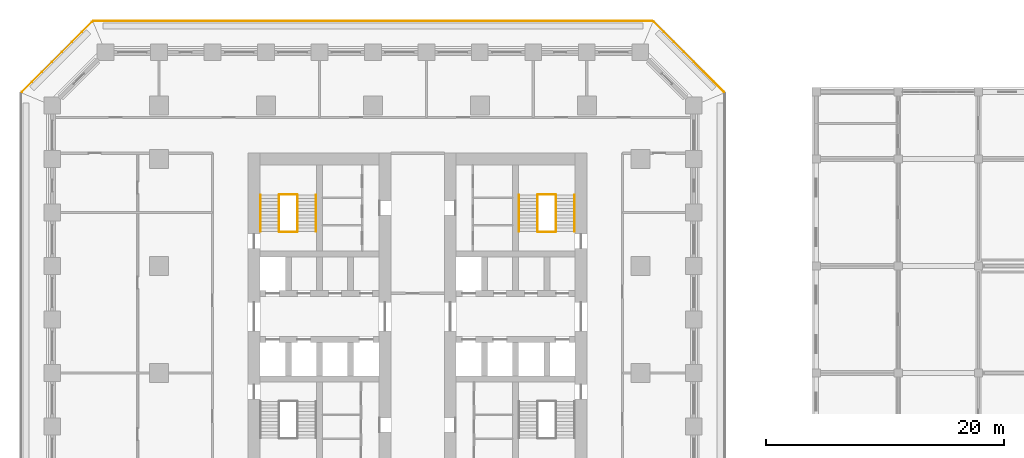
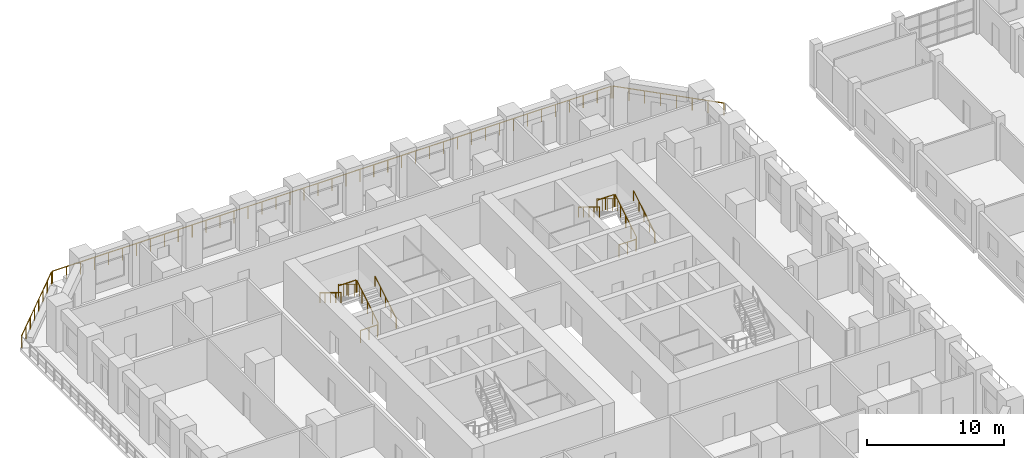
# One storey, part 36 of 42: 15 railings.
"""IFC4 building model written with IfcOpenShell, lengths in metres."""

from ifc_helpers import new_model, si_unit, direction, frame, origin, origin_2d, place, context, subcontext, project, spatial, circle, extrude, material, type_object, element, save


model = new_model("IFC4")

# Units and contexts
model_context = context("Model", 3, precision=1e-05, world=origin(), true_north=direction((0.0, 1.0)))
body_context = subcontext(model_context, "Body", "Model", "MODEL_VIEW")
ifc_project = project(units=[si_unit("LENGTHUNIT", "METRE"), si_unit("AREAUNIT", "SQUARE_METRE"), si_unit("VOLUMEUNIT", "CUBIC_METRE"), si_unit("PLANEANGLEUNIT", "RADIAN"), si_unit("MASSUNIT", "GRAM", prefix="KILO")], contexts=[model_context])

# Site, building, storey
site_placement = place(None, origin())
site = spatial("IfcSite", under=ifc_project, at=site_placement, CompositionType="ELEMENT")
building_placement = place(site_placement, origin())
building = spatial("IfcBuilding", under=site, at=building_placement, Name="Corbel Stack Research Tower", CompositionType="ELEMENT")
storey_placement = place(building_placement, frame((0.0, 0.0, 11.300048828125)))
storey = spatial("IfcBuildingStorey", under=building, at=storey_placement, Name="L02", CompositionType="ELEMENT", Elevation=11.300048828125)

# Railings
ifc_material_1 = material(Name="Steel S355", Category="steel")
railing_type_1 = type_object("IfcRailingType", Name="Stair guard 1100", PredefinedType="GUARDRAIL", material=ifc_material_1)
railing_1_placement = place(storey_placement, frame((-6.35009765625, 11.89990234375, 0.1708984375)))
element("IfcRailing", 1, at=railing_1_placement, inside=storey, type_object=railing_type_1, Name="L02 ST-W2 stair guard 1", PredefinedType="GUARDRAIL", context=body_context, shape_type="SweptSolid", body=[
    extrude(circle(Radius=0.02392578125, at=origin_2d()), frame((0.0, 0.0, 1.076171875), z_axis=(0.0, 0.853666305674, 0.52082035152), x_axis=(-1.0, 0.0, 0.0)), (0.0, 0.0, 1.0), 3.608154296875),
    extrude(circle(Radius=0.02099609375, at=origin_2d()), origin(), (0.0, 0.0, 1.0), 1.052001953125),
    extrude(circle(Radius=0.02099609375, at=origin_2d()), frame((0.0, 0.77001953125, 0.4697265625)), (0.0, 0.0, 1.0), 1.052001953125),
    extrude(circle(Radius=0.02099609375, at=origin_2d()), frame((0.0, 1.5400390625, 0.939453125)), (0.0, 0.0, 1.0), 1.052001953125),
    extrude(circle(Radius=0.02099609375, at=origin_2d()), frame((0.0, 2.31005859375, 1.409423828125)), (0.0, 0.0, 1.0), 1.052001953125),
    extrude(circle(Radius=0.02099609375, at=origin_2d()), frame((0.0, 3.080078125, 1.879150390625)), (0.0, 0.0, 1.0), 1.052001953125),
])
railing_2_placement = place(storey_placement, frame((-6.39990234375, 15.030029296875, 2.050048828125)))
element("IfcRailing", 2, at=railing_2_placement, inside=storey, type_object=railing_type_1, Name="L02 ST-W2 stair guard 2", PredefinedType="GUARDRAIL", context=body_context, shape_type="SweptSolid", body=[
    extrude(circle(Radius=0.02392578125, at=origin_2d()), frame((0.0, 0.0, 1.076171875), z_axis=(-1.0, 0.0, 0.0), x_axis=(0.0, -1.0, 0.0)), (0.0, 0.0, 1.0), 1.4501953125),
    extrude(circle(Radius=0.02099609375, at=origin_2d()), origin(), (0.0, 0.0, 1.0), 1.052001953125),
    extrude(circle(Radius=0.02099609375, at=origin_2d()), frame((-0.72509765625, 0.0, 0.0)), (0.0, 0.0, 1.0), 1.052001953125),
    extrude(circle(Radius=0.02099609375, at=origin_2d()), frame((-1.4501953125, 0.0, 0.0)), (0.0, 0.0, 1.0), 1.052001953125),
])
railing_3_placement = place(storey_placement, frame((-7.89990234375, 14.97998046875, 2.220703125)))
element("IfcRailing", 3, at=railing_3_placement, inside=storey, type_object=railing_type_1, Name="L02 ST-W2 stair guard 3", PredefinedType="GUARDRAIL", context=body_context, shape_type="SweptSolid", body=[
    extrude(circle(Radius=0.02392578125, at=origin_2d()), frame((0.0, 0.0, 1.076171875), z_axis=(0.0, -0.853666305674, 0.52082035152), x_axis=(1.0, 0.0, 0.0)), (0.0, 0.0, 1.0), 3.608154296875),
    extrude(circle(Radius=0.02099609375, at=origin_2d()), origin(), (0.0, 0.0, 1.0), 1.052001953125),
    extrude(circle(Radius=0.02099609375, at=origin_2d()), frame((0.0, -0.77001953125, 0.4697265625)), (0.0, 0.0, 1.0), 1.052001953125),
    extrude(circle(Radius=0.02099609375, at=origin_2d()), frame((0.0, -1.5400390625, 0.939453125)), (0.0, 0.0, 1.0), 1.052001953125),
    extrude(circle(Radius=0.02099609375, at=origin_2d()), frame((0.0, -2.31005859375, 1.409423828125)), (0.0, 0.0, 1.0), 1.052001953125),
    extrude(circle(Radius=0.02099609375, at=origin_2d()), frame((0.0, -3.080078125, 1.879150390625)), (0.0, 0.0, 1.0), 1.052001953125),
])
railing_4_placement = place(storey_placement, frame((-6.39990234375, 11.85009765625, 0.0)))
element("IfcRailing", 4, at=railing_4_placement, inside=storey, type_object=railing_type_1, Name="L02 ST-W2 stair guard 4", PredefinedType="GUARDRAIL", context=body_context, shape_type="SweptSolid", body=[
    extrude(circle(Radius=0.02392578125, at=origin_2d()), frame((0.0, 0.0, 1.076171875), z_axis=(-1.0, 0.0, 0.0), x_axis=(0.0, -1.0, 0.0)), (0.0, 0.0, 1.0), 1.4501953125),
    extrude(circle(Radius=0.02099609375, at=origin_2d()), origin(), (0.0, 0.0, 1.0), 1.052001953125),
    extrude(circle(Radius=0.02099609375, at=origin_2d()), frame((-0.72509765625, 0.0, 0.0)), (0.0, 0.0, 1.0), 1.052001953125),
    extrude(circle(Radius=0.02099609375, at=origin_2d()), frame((-1.4501953125, 0.0, 0.0)), (0.0, 0.0, 1.0), 1.052001953125),
])
railing_5_placement = place(storey_placement, frame((15.39990234375, 11.89990234375, 0.1708984375)))
element("IfcRailing", 5, at=railing_5_placement, inside=storey, type_object=railing_type_1, Name="L02 ST-E2 stair guard 1", PredefinedType="GUARDRAIL", context=body_context, shape_type="SweptSolid", body=[
    extrude(circle(Radius=0.02392578125, at=origin_2d()), frame((0.0, 0.0, 1.076171875), z_axis=(0.0, 0.853666305674, 0.52082035152), x_axis=(-1.0, 0.0, 0.0)), (0.0, 0.0, 1.0), 3.608154296875),
    extrude(circle(Radius=0.02099609375, at=origin_2d()), origin(), (0.0, 0.0, 1.0), 1.052001953125),
    extrude(circle(Radius=0.02099609375, at=origin_2d()), frame((0.0, 0.77001953125, 0.4697265625)), (0.0, 0.0, 1.0), 1.052001953125),
    extrude(circle(Radius=0.02099609375, at=origin_2d()), frame((0.0, 1.5400390625, 0.939453125)), (0.0, 0.0, 1.0), 1.052001953125),
    extrude(circle(Radius=0.02099609375, at=origin_2d()), frame((0.0, 2.31005859375, 1.409423828125)), (0.0, 0.0, 1.0), 1.052001953125),
    extrude(circle(Radius=0.02099609375, at=origin_2d()), frame((0.0, 3.080078125, 1.879150390625)), (0.0, 0.0, 1.0), 1.052001953125),
])
railing_6_placement = place(storey_placement, frame((15.35009765625, 15.030029296875, 2.050048828125)))
element("IfcRailing", 6, at=railing_6_placement, inside=storey, type_object=railing_type_1, Name="L02 ST-E2 stair guard 2", PredefinedType="GUARDRAIL", context=body_context, shape_type="SweptSolid", body=[
    extrude(circle(Radius=0.02392578125, at=origin_2d()), frame((0.0, 0.0, 1.076171875), z_axis=(-1.0, 0.0, 0.0), x_axis=(0.0, -1.0, 0.0)), (0.0, 0.0, 1.0), 1.4501953125),
    extrude(circle(Radius=0.02099609375, at=origin_2d()), origin(), (0.0, 0.0, 1.0), 1.052001953125),
    extrude(circle(Radius=0.02099609375, at=origin_2d()), frame((-0.72509765625, 0.0, 0.0)), (0.0, 0.0, 1.0), 1.052001953125),
    extrude(circle(Radius=0.02099609375, at=origin_2d()), frame((-1.4501953125, 0.0, 0.0)), (0.0, 0.0, 1.0), 1.052001953125),
])
railing_7_placement = place(storey_placement, frame((13.85009765625, 14.97998046875, 2.220703125)))
element("IfcRailing", 7, at=railing_7_placement, inside=storey, type_object=railing_type_1, Name="L02 ST-E2 stair guard 3", PredefinedType="GUARDRAIL", context=body_context, shape_type="SweptSolid", body=[
    extrude(circle(Radius=0.02392578125, at=origin_2d()), frame((0.0, 0.0, 1.076171875), z_axis=(0.0, -0.853666305674, 0.52082035152), x_axis=(1.0, 0.0, 0.0)), (0.0, 0.0, 1.0), 3.608154296875),
    extrude(circle(Radius=0.02099609375, at=origin_2d()), origin(), (0.0, 0.0, 1.0), 1.052001953125),
    extrude(circle(Radius=0.02099609375, at=origin_2d()), frame((0.0, -0.77001953125, 0.4697265625)), (0.0, 0.0, 1.0), 1.052001953125),
    extrude(circle(Radius=0.02099609375, at=origin_2d()), frame((0.0, -1.5400390625, 0.939453125)), (0.0, 0.0, 1.0), 1.052001953125),
    extrude(circle(Radius=0.02099609375, at=origin_2d()), frame((0.0, -2.31005859375, 1.409423828125)), (0.0, 0.0, 1.0), 1.052001953125),
    extrude(circle(Radius=0.02099609375, at=origin_2d()), frame((0.0, -3.080078125, 1.879150390625)), (0.0, 0.0, 1.0), 1.052001953125),
])
railing_8_placement = place(storey_placement, frame((15.35009765625, 11.85009765625, 0.0)))
element("IfcRailing", 8, at=railing_8_placement, inside=storey, type_object=railing_type_1, Name="L02 ST-E2 stair guard 4", PredefinedType="GUARDRAIL", context=body_context, shape_type="SweptSolid", body=[
    extrude(circle(Radius=0.02392578125, at=origin_2d()), frame((0.0, 0.0, 1.076171875), z_axis=(-1.0, 0.0, 0.0), x_axis=(0.0, -1.0, 0.0)), (0.0, 0.0, 1.0), 1.4501953125),
    extrude(circle(Radius=0.02099609375, at=origin_2d()), origin(), (0.0, 0.0, 1.0), 1.052001953125),
    extrude(circle(Radius=0.02099609375, at=origin_2d()), frame((-0.72509765625, 0.0, 0.0)), (0.0, 0.0, 1.0), 1.052001953125),
    extrude(circle(Radius=0.02099609375, at=origin_2d()), frame((-1.4501953125, 0.0, 0.0)), (0.0, 0.0, 1.0), 1.052001953125),
])
ifc_material_2 = material(Name="Steel S355", Category="steel")
railing_type_2 = type_object("IfcRailingType", Name="Stair handrail 900", PredefinedType="HANDRAIL", material=ifc_material_2)
railing_9_placement = place(storey_placement, frame((-4.800048828125, 11.89990234375, 0.1708984375)))
element("IfcRailing", 9, at=railing_9_placement, inside=storey, type_object=railing_type_2, Name="L02 ST-W2 stair handrail 1", PredefinedType="HANDRAIL", context=body_context, shape_type="SweptSolid", body=[
    extrude(circle(Radius=0.02392578125, at=origin_2d()), frame((0.0, 0.0, 0.8759765625), z_axis=(0.0, 0.853666305674, 0.52082035152), x_axis=(-1.0, 0.0, 0.0)), (0.0, 0.0, 1.0), 3.608154296875),
    extrude(circle(Radius=0.02099609375, at=origin_2d()), origin(), (0.0, 0.0, 1.0), 0.851806640625),
    extrude(circle(Radius=0.02099609375, at=origin_2d()), frame((0.0, 0.77001953125, 0.4697265625)), (0.0, 0.0, 1.0), 0.851806640625),
    extrude(circle(Radius=0.02099609375, at=origin_2d()), frame((0.0, 1.5400390625, 0.939453125)), (0.0, 0.0, 1.0), 0.851806640625),
    extrude(circle(Radius=0.02099609375, at=origin_2d()), frame((0.0, 2.31005859375, 1.409423828125)), (0.0, 0.0, 1.0), 0.851806640625),
    extrude(circle(Radius=0.02099609375, at=origin_2d()), frame((0.0, 3.080078125, 1.879150390625)), (0.0, 0.0, 1.0), 0.851806640625),
])
railing_10_placement = place(storey_placement, frame((-9.449951171875, 14.97998046875, 2.220703125)))
element("IfcRailing", 10, at=railing_10_placement, inside=storey, type_object=railing_type_2, Name="L02 ST-W2 stair handrail 2", PredefinedType="HANDRAIL", context=body_context, shape_type="SweptSolid", body=[
    extrude(circle(Radius=0.02392578125, at=origin_2d()), frame((0.0, 0.0, 0.8759765625), z_axis=(0.0, -0.853666305674, 0.52082035152), x_axis=(1.0, 0.0, 0.0)), (0.0, 0.0, 1.0), 3.608154296875),
    extrude(circle(Radius=0.02099609375, at=origin_2d()), origin(), (0.0, 0.0, 1.0), 0.851806640625),
    extrude(circle(Radius=0.02099609375, at=origin_2d()), frame((0.0, -0.77001953125, 0.4697265625)), (0.0, 0.0, 1.0), 0.851806640625),
    extrude(circle(Radius=0.02099609375, at=origin_2d()), frame((0.0, -1.5400390625, 0.939453125)), (0.0, 0.0, 1.0), 0.851806640625),
    extrude(circle(Radius=0.02099609375, at=origin_2d()), frame((0.0, -2.31005859375, 1.409423828125)), (0.0, 0.0, 1.0), 0.851806640625),
    extrude(circle(Radius=0.02099609375, at=origin_2d()), frame((0.0, -3.080078125, 1.879150390625)), (0.0, 0.0, 1.0), 0.851806640625),
])
railing_11_placement = place(storey_placement, frame((16.949951171875, 11.89990234375, 0.1708984375)))
element("IfcRailing", 11, at=railing_11_placement, inside=storey, type_object=railing_type_2, Name="L02 ST-E2 stair handrail 1", PredefinedType="HANDRAIL", context=body_context, shape_type="SweptSolid", body=[
    extrude(circle(Radius=0.02392578125, at=origin_2d()), frame((0.0, 0.0, 0.8759765625), z_axis=(0.0, 0.853666305674, 0.52082035152), x_axis=(-1.0, 0.0, 0.0)), (0.0, 0.0, 1.0), 3.608154296875),
    extrude(circle(Radius=0.02099609375, at=origin_2d()), origin(), (0.0, 0.0, 1.0), 0.851806640625),
    extrude(circle(Radius=0.02099609375, at=origin_2d()), frame((0.0, 0.77001953125, 0.4697265625)), (0.0, 0.0, 1.0), 0.851806640625),
    extrude(circle(Radius=0.02099609375, at=origin_2d()), frame((0.0, 1.5400390625, 0.939453125)), (0.0, 0.0, 1.0), 0.851806640625),
    extrude(circle(Radius=0.02099609375, at=origin_2d()), frame((0.0, 2.31005859375, 1.409423828125)), (0.0, 0.0, 1.0), 0.851806640625),
    extrude(circle(Radius=0.02099609375, at=origin_2d()), frame((0.0, 3.080078125, 1.879150390625)), (0.0, 0.0, 1.0), 0.851806640625),
])
railing_12_placement = place(storey_placement, frame((12.300048828125, 14.97998046875, 2.220703125)))
element("IfcRailing", 12, at=railing_12_placement, inside=storey, type_object=railing_type_2, Name="L02 ST-E2 stair handrail 2", PredefinedType="HANDRAIL", context=body_context, shape_type="SweptSolid", body=[
    extrude(circle(Radius=0.02392578125, at=origin_2d()), frame((0.0, 0.0, 0.8759765625), z_axis=(0.0, -0.853666305674, 0.52082035152), x_axis=(1.0, 0.0, 0.0)), (0.0, 0.0, 1.0), 3.608154296875),
    extrude(circle(Radius=0.02099609375, at=origin_2d()), origin(), (0.0, 0.0, 1.0), 0.851806640625),
    extrude(circle(Radius=0.02099609375, at=origin_2d()), frame((0.0, -0.77001953125, 0.4697265625)), (0.0, 0.0, 1.0), 0.851806640625),
    extrude(circle(Radius=0.02099609375, at=origin_2d()), frame((0.0, -1.5400390625, 0.939453125)), (0.0, 0.0, 1.0), 0.851806640625),
    extrude(circle(Radius=0.02099609375, at=origin_2d()), frame((0.0, -2.31005859375, 1.409423828125)), (0.0, 0.0, 1.0), 0.851806640625),
    extrude(circle(Radius=0.02099609375, at=origin_2d()), frame((0.0, -3.080078125, 1.879150390625)), (0.0, 0.0, 1.0), 0.851806640625),
])
ifc_material_3 = material(Name="Powder-coated steel guard", Category="steel")
railing_type_3 = type_object("IfcRailingType", Name="Steel and glass guard 1100", PredefinedType="GUARDRAIL", material=ifc_material_3)
railing_13_placement = place(storey_placement, frame((29.54931640625, 23.627685546875, 0.0)))
element("IfcRailing", 13, at=railing_13_placement, inside=storey, type_object=railing_type_3, Name="Loggia guard L02 NE", PredefinedType="GUARDRAIL", context=body_context, shape_type="SweptSolid", body=[
    extrude(circle(Radius=0.02392578125, at=origin_2d()), frame((0.0, 0.0, 1.076171875), z_axis=(-0.707106781187, 0.707106781187, 0.0), x_axis=(-0.707106781187, -0.707106781187, 0.0)), (0.0, 0.0, 1.0), 8.37451171875),
    extrude(circle(Radius=0.02099609375, at=origin_2d()), origin(), (0.0, 0.0, 1.0), 1.052001953125),
    extrude(circle(Radius=0.02099609375, at=origin_2d()), frame((-0.845947265625, 0.845947265625, 0.0)), (0.0, 0.0, 1.0), 1.052001953125),
    extrude(circle(Radius=0.02099609375, at=origin_2d()), frame((-1.69189453125, 1.69189453125, 0.0)), (0.0, 0.0, 1.0), 1.052001953125),
    extrude(circle(Radius=0.02099609375, at=origin_2d()), frame((-2.537841796875, 2.537841796875, 0.0)), (0.0, 0.0, 1.0), 1.052001953125),
    extrude(circle(Radius=0.02099609375, at=origin_2d()), frame((-3.3837890625, 3.3837890625, 0.0)), (0.0, 0.0, 1.0), 1.052001953125),
    extrude(circle(Radius=0.02099609375, at=origin_2d()), frame((-4.229736328125, 4.229736328125, 0.0)), (0.0, 0.0, 1.0), 1.052001953125),
    extrude(circle(Radius=0.02099609375, at=origin_2d()), frame((-5.07568359375, 5.07568359375, 0.0)), (0.0, 0.0, 1.0), 1.052001953125),
    extrude(circle(Radius=0.02099609375, at=origin_2d()), frame((-5.921630859375, 5.921630859375, 0.0)), (0.0, 0.0, 1.0), 1.052001953125),
])
railing_14_placement = place(storey_placement, frame((23.50537109375, 29.60009765625, 0.0)))
element("IfcRailing", 14, at=railing_14_placement, inside=storey, type_object=railing_type_3, Name="Loggia guard L02 N", PredefinedType="GUARDRAIL", context=body_context, shape_type="SweptSolid", body=[
    extrude(circle(Radius=0.02392578125, at=origin_2d()), frame((0.0, 0.0, 1.076171875), z_axis=(-1.0, 0.0, 0.0), x_axis=(0.0, -1.0, 0.0)), (0.0, 0.0, 1.0), 47.0107421875),
    extrude(circle(Radius=0.02099609375, at=origin_2d()), origin(), (0.0, 0.0, 1.0), 1.052001953125),
    extrude(circle(Radius=0.02099609375, at=origin_2d()), frame((-1.17529296875, 0.0, 0.0)), (0.0, 0.0, 1.0), 1.052001953125),
    extrude(circle(Radius=0.02099609375, at=origin_2d()), frame((-2.3505859375, 0.0, 0.0)), (0.0, 0.0, 1.0), 1.052001953125),
    extrude(circle(Radius=0.02099609375, at=origin_2d()), frame((-3.52587890625, 0.0, 0.0)), (0.0, 0.0, 1.0), 1.052001953125),
    extrude(circle(Radius=0.02099609375, at=origin_2d()), frame((-4.701171875, 0.0, 0.0)), (0.0, 0.0, 1.0), 1.052001953125),
    extrude(circle(Radius=0.02099609375, at=origin_2d()), frame((-5.87646484375, 0.0, 0.0)), (0.0, 0.0, 1.0), 1.052001953125),
    extrude(circle(Radius=0.02099609375, at=origin_2d()), frame((-7.051513671875, 0.0, 0.0)), (0.0, 0.0, 1.0), 1.052001953125),
    extrude(circle(Radius=0.02099609375, at=origin_2d()), frame((-8.226806640625, 0.0, 0.0)), (0.0, 0.0, 1.0), 1.052001953125),
    extrude(circle(Radius=0.02099609375, at=origin_2d()), frame((-9.402099609375, 0.0, 0.0)), (0.0, 0.0, 1.0), 1.052001953125),
    extrude(circle(Radius=0.02099609375, at=origin_2d()), frame((-10.577392578125, 0.0, 0.0)), (0.0, 0.0, 1.0), 1.052001953125),
    extrude(circle(Radius=0.02099609375, at=origin_2d()), frame((-11.752685546875, 0.0, 0.0)), (0.0, 0.0, 1.0), 1.052001953125),
    extrude(circle(Radius=0.02099609375, at=origin_2d()), frame((-12.927978515625, 0.0, 0.0)), (0.0, 0.0, 1.0), 1.052001953125),
    extrude(circle(Radius=0.02099609375, at=origin_2d()), frame((-14.103271484375, 0.0, 0.0)), (0.0, 0.0, 1.0), 1.052001953125),
    extrude(circle(Radius=0.02099609375, at=origin_2d()), frame((-15.278564453125, 0.0, 0.0)), (0.0, 0.0, 1.0), 1.052001953125),
    extrude(circle(Radius=0.02099609375, at=origin_2d()), frame((-16.453857421875, 0.0, 0.0)), (0.0, 0.0, 1.0), 1.052001953125),
    extrude(circle(Radius=0.02099609375, at=origin_2d()), frame((-17.62890625, 0.0, 0.0)), (0.0, 0.0, 1.0), 1.052001953125),
    extrude(circle(Radius=0.02099609375, at=origin_2d()), frame((-18.80419921875, 0.0, 0.0)), (0.0, 0.0, 1.0), 1.052001953125),
    extrude(circle(Radius=0.02099609375, at=origin_2d()), frame((-19.9794921875, 0.0, 0.0)), (0.0, 0.0, 1.0), 1.052001953125),
    extrude(circle(Radius=0.02099609375, at=origin_2d()), frame((-21.15478515625, 0.0, 0.0)), (0.0, 0.0, 1.0), 1.052001953125),
    extrude(circle(Radius=0.02099609375, at=origin_2d()), frame((-22.330078125, 0.0, 0.0)), (0.0, 0.0, 1.0), 1.052001953125),
    extrude(circle(Radius=0.02099609375, at=origin_2d()), frame((-23.50537109375, 0.0, 0.0)), (0.0, 0.0, 1.0), 1.052001953125),
    extrude(circle(Radius=0.02099609375, at=origin_2d()), frame((-24.6806640625, 0.0, 0.0)), (0.0, 0.0, 1.0), 1.052001953125),
    extrude(circle(Radius=0.02099609375, at=origin_2d()), frame((-25.85595703125, 0.0, 0.0)), (0.0, 0.0, 1.0), 1.052001953125),
    extrude(circle(Radius=0.02099609375, at=origin_2d()), frame((-27.03125, 0.0, 0.0)), (0.0, 0.0, 1.0), 1.052001953125),
    extrude(circle(Radius=0.02099609375, at=origin_2d()), frame((-28.20654296875, 0.0, 0.0)), (0.0, 0.0, 1.0), 1.052001953125),
    extrude(circle(Radius=0.02099609375, at=origin_2d()), frame((-29.3818359375, 0.0, 0.0)), (0.0, 0.0, 1.0), 1.052001953125),
    extrude(circle(Radius=0.02099609375, at=origin_2d()), frame((-30.556884765625, 0.0, 0.0)), (0.0, 0.0, 1.0), 1.052001953125),
    extrude(circle(Radius=0.02099609375, at=origin_2d()), frame((-31.732177734375, 0.0, 0.0)), (0.0, 0.0, 1.0), 1.052001953125),
    extrude(circle(Radius=0.02099609375, at=origin_2d()), frame((-32.907470703125, 0.0, 0.0)), (0.0, 0.0, 1.0), 1.052001953125),
    extrude(circle(Radius=0.02099609375, at=origin_2d()), frame((-34.082763671875, 0.0, 0.0)), (0.0, 0.0, 1.0), 1.052001953125),
    extrude(circle(Radius=0.02099609375, at=origin_2d()), frame((-35.258056640625, 0.0, 0.0)), (0.0, 0.0, 1.0), 1.052001953125),
    extrude(circle(Radius=0.02099609375, at=origin_2d()), frame((-36.433349609375, 0.0, 0.0)), (0.0, 0.0, 1.0), 1.052001953125),
    extrude(circle(Radius=0.02099609375, at=origin_2d()), frame((-37.608642578125, 0.0, 0.0)), (0.0, 0.0, 1.0), 1.052001953125),
    extrude(circle(Radius=0.02099609375, at=origin_2d()), frame((-38.783935546875, 0.0, 0.0)), (0.0, 0.0, 1.0), 1.052001953125),
    extrude(circle(Radius=0.02099609375, at=origin_2d()), frame((-39.959228515625, 0.0, 0.0)), (0.0, 0.0, 1.0), 1.052001953125),
    extrude(circle(Radius=0.02099609375, at=origin_2d()), frame((-41.13427734375, 0.0, 0.0)), (0.0, 0.0, 1.0), 1.052001953125),
    extrude(circle(Radius=0.02099609375, at=origin_2d()), frame((-42.3095703125, 0.0, 0.0)), (0.0, 0.0, 1.0), 1.052001953125),
    extrude(circle(Radius=0.02099609375, at=origin_2d()), frame((-43.48486328125, 0.0, 0.0)), (0.0, 0.0, 1.0), 1.052001953125),
    extrude(circle(Radius=0.02099609375, at=origin_2d()), frame((-44.66015625, 0.0, 0.0)), (0.0, 0.0, 1.0), 1.052001953125),
    extrude(circle(Radius=0.02099609375, at=origin_2d()), frame((-45.83544921875, 0.0, 0.0)), (0.0, 0.0, 1.0), 1.052001953125),
    extrude(circle(Radius=0.02099609375, at=origin_2d()), frame((-47.0107421875, 0.0, 0.0)), (0.0, 0.0, 1.0), 1.052001953125),
])
railing_15_placement = place(storey_placement, frame((-23.627685546875, 29.54931640625, 0.0)))
element("IfcRailing", 15, at=railing_15_placement, inside=storey, type_object=railing_type_3, Name="Loggia guard L02 NW", PredefinedType="GUARDRAIL", context=body_context, shape_type="SweptSolid", body=[
    extrude(circle(Radius=0.02392578125, at=origin_2d()), frame((0.0, 0.0, 1.076171875), z_axis=(-0.707106781187, -0.707106781187, 0.0), x_axis=(0.707106781187, -0.707106781187, 0.0)), (0.0, 0.0, 1.0), 8.37451171875),
    extrude(circle(Radius=0.02099609375, at=origin_2d()), origin(), (0.0, 0.0, 1.0), 1.052001953125),
    extrude(circle(Radius=0.02099609375, at=origin_2d()), frame((-0.845947265625, -0.845947265625, 0.0)), (0.0, 0.0, 1.0), 1.052001953125),
    extrude(circle(Radius=0.02099609375, at=origin_2d()), frame((-1.69189453125, -1.69189453125, 0.0)), (0.0, 0.0, 1.0), 1.052001953125),
    extrude(circle(Radius=0.02099609375, at=origin_2d()), frame((-2.537841796875, -2.537841796875, 0.0)), (0.0, 0.0, 1.0), 1.052001953125),
    extrude(circle(Radius=0.02099609375, at=origin_2d()), frame((-3.3837890625, -3.3837890625, 0.0)), (0.0, 0.0, 1.0), 1.052001953125),
    extrude(circle(Radius=0.02099609375, at=origin_2d()), frame((-4.229736328125, -4.229736328125, 0.0)), (0.0, 0.0, 1.0), 1.052001953125),
    extrude(circle(Radius=0.02099609375, at=origin_2d()), frame((-5.07568359375, -5.07568359375, 0.0)), (0.0, 0.0, 1.0), 1.052001953125),
    extrude(circle(Radius=0.02099609375, at=origin_2d()), frame((-5.921630859375, -5.921630859375, 0.0)), (0.0, 0.0, 1.0), 1.052001953125),
])

save(model, "model.ifc")
